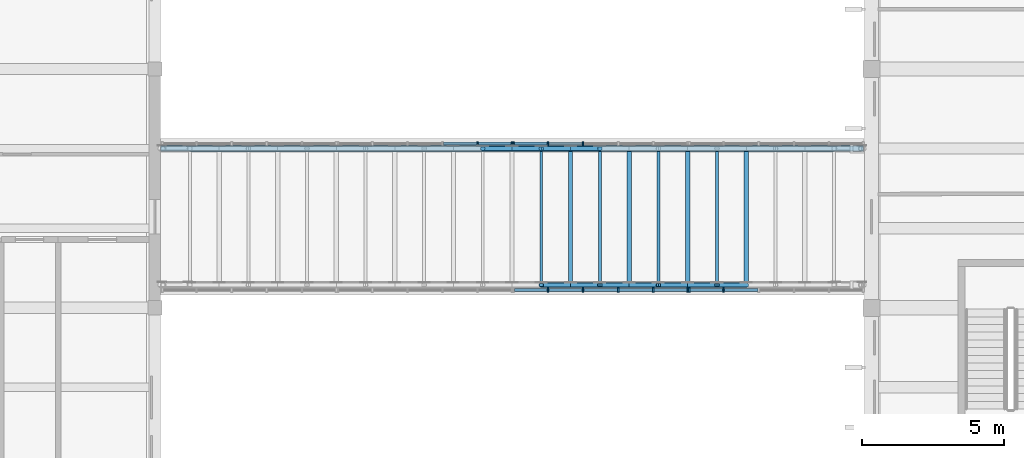
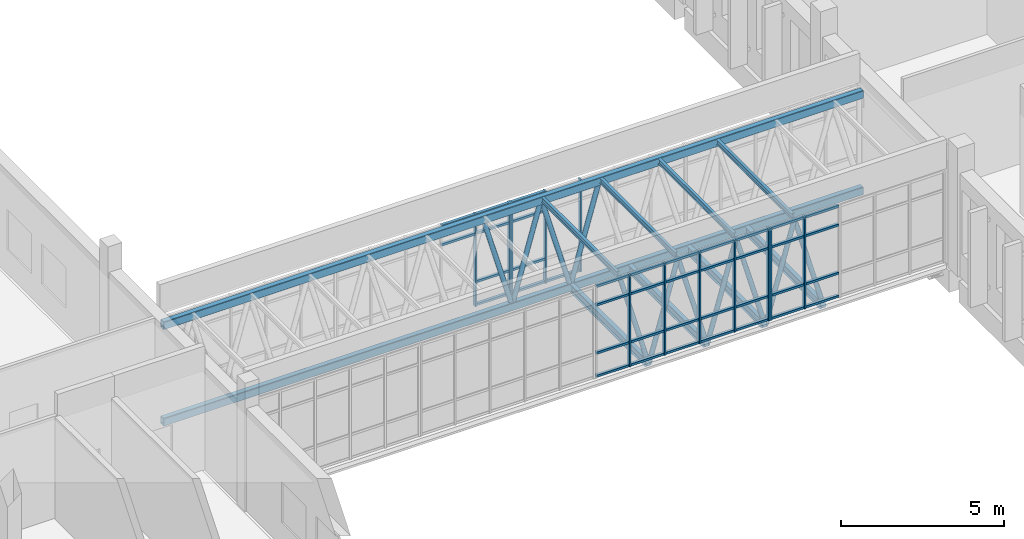
# One storey, part 12 of 119: 64 members, 8 beams, 4 elements without a shape of their own.
"""IFC4 building model written with IfcOpenShell, lengths in metres."""

from ifc_helpers import new_model, si_unit, direction, frame, origin, origin_2d, place, context, subcontext, project, spatial, rectangle, hollow_rectangle, hollow_circle, i_section, extrude, material, layer, layer_set, material_profile, profile_set, type_object, element, aggregate, save


model = new_model("IFC4")

# Units and contexts
model_context = context("Model", 3, precision=1e-05, world=origin(), true_north=direction((0.0, 1.0)))
body_context = subcontext(model_context, "Body", "Model", "MODEL_VIEW")
ifc_project = project(units=[si_unit("LENGTHUNIT", "METRE"), si_unit("AREAUNIT", "SQUARE_METRE"), si_unit("VOLUMEUNIT", "CUBIC_METRE"), si_unit("PLANEANGLEUNIT", "RADIAN"), si_unit("MASSUNIT", "GRAM", prefix="KILO")], contexts=[model_context])

# Site, building, storey
site_placement = place(None, origin())
site = spatial("IfcSite", under=ifc_project, at=site_placement, CompositionType="ELEMENT")
building_placement = place(site_placement, origin())
building = spatial("IfcBuilding", under=site, at=building_placement, Name="Larchfold Concert Hall", CompositionType="ELEMENT")
storey_placement = place(building_placement, frame((0.0, 0.0, 4.800048828125)))
storey = spatial("IfcBuildingStorey", under=building, at=storey_placement, Name="L01", CompositionType="ELEMENT", Elevation=4.800048828125)

# Curtain wall, members
ifc_material_1 = material(Name="Anodised graphite aluminium curtain wall", Category="aluminium")
ifc_layer = layer(ifc_material_1, 0.14990234375)
ifc_layer_set = layer_set([ifc_layer], Name="Anodised graphite aluminium curtain wall")
curtain_wall_type = type_object("IfcCurtainWallType", Name="Curtain wall WG", PredefinedType="NOTDEFINED", material=ifc_layer_set)
curtain_wall_1_placement = place(storey_placement, origin())
curtain_wall_1 = element("IfcCurtainWall", 1, at=curtain_wall_1_placement, inside=storey, type_object=curtain_wall_type, Name="Curtain wall CW0305", PredefinedType="NOTDEFINED")
ifc_material_2 = material(Name="Anodised graphite aluminium mullion", Category="aluminium")
ifc_material_profile_1 = material_profile(ifc_material_2, rectangle(XDim=0.14990234375, YDim=0.06005859375, at=origin_2d()))
ifc_profile_set_1 = profile_set([ifc_material_profile_1], Name="Anodised graphite aluminium mullion")
member_type_1 = type_object("IfcMemberType", Name="Aluminium mullion 60x150", PredefinedType="MULLION", material=ifc_profile_set_1)
member_1_placement = place(storey_placement, frame((73.22314453125, 9.626708984375, 0.0), z_axis=(0.0, 0.0, 1.0), x_axis=(0.0, 1.0, 0.0)))
member_1 = element("IfcMember", 2, at=member_1_placement, type_object=member_type_1, Name="CW0305 mullion 2", PredefinedType="MULLION", context=body_context, shape_type="SweptSolid", body=[
    extrude(rectangle(XDim=0.14990234375, YDim=0.06005859375, at=origin_2d()), origin(), (0.0, 0.0, 1.0), 3.43994140625),
])
member_2_placement = place(storey_placement, frame((74.458984375, 9.626708984375, 0.0), z_axis=(0.0, 0.0, 1.0), x_axis=(0.0, 1.0, 0.0)))
member_2 = element("IfcMember", 3, at=member_2_placement, type_object=member_type_1, Name="CW0305 mullion 3", PredefinedType="MULLION", context=body_context, shape_type="SweptSolid", body=[
    extrude(rectangle(XDim=0.14990234375, YDim=0.06005859375, at=origin_2d()), origin(), (0.0, 0.0, 1.0), 3.43994140625),
])
member_3_placement = place(storey_placement, frame((75.694580078125, 9.626708984375, 0.0), z_axis=(0.0, 0.0, 1.0), x_axis=(0.0, 1.0, 0.0)))
member_3 = element("IfcMember", 4, at=member_3_placement, type_object=member_type_1, Name="CW0305 mullion 4", PredefinedType="MULLION", context=body_context, shape_type="SweptSolid", body=[
    extrude(rectangle(XDim=0.14990234375, YDim=0.06005859375, at=origin_2d()), origin(), (0.0, 0.0, 1.0), 3.43994140625),
])
member_4_placement = place(storey_placement, frame((76.930419921875, 9.626708984375, 0.0), z_axis=(0.0, 0.0, 1.0), x_axis=(0.0, 1.0, 0.0)))
member_4 = element("IfcMember", 5, at=member_4_placement, type_object=member_type_1, Name="CW0305 mullion 5", PredefinedType="MULLION", context=body_context, shape_type="SweptSolid", body=[
    extrude(rectangle(XDim=0.14990234375, YDim=0.06005859375, at=origin_2d()), origin(), (0.0, 0.0, 1.0), 3.43994140625),
])
member_5_placement = place(storey_placement, frame((78.13623046875, 9.626708984375, 0.0), z_axis=(0.0, 0.0, 1.0), x_axis=(0.0, 1.0, 0.0)))
member_5 = element("IfcMember", 6, at=member_5_placement, type_object=member_type_1, Name="CW0305 mullion 6", PredefinedType="MULLION", context=body_context, shape_type="SweptSolid", body=[
    extrude(rectangle(XDim=0.14990234375, YDim=0.06005859375, at=origin_2d()), origin(), (0.0, 0.0, 1.0), 3.43994140625),
])

curtain_wall_2_placement = place(storey_placement, origin())
curtain_wall_2 = element("IfcCurtainWall", 7, at=curtain_wall_2_placement, inside=storey, type_object=curtain_wall_type, Name="Curtain wall CW0306", PredefinedType="NOTDEFINED")
member_6_placement = place(storey_placement, frame((78.1962890625, 9.626708984375, 0.0), z_axis=(0.0, 0.0, 1.0), x_axis=(0.0, 1.0, 0.0)))
member_6 = element("IfcMember", 8, at=member_6_placement, type_object=member_type_1, Name="CW0306 mullion 1", PredefinedType="MULLION", context=body_context, shape_type="SweptSolid", body=[
    extrude(rectangle(XDim=0.14990234375, YDim=0.06005859375, at=origin_2d()), origin(), (0.0, 0.0, 1.0), 3.43994140625),
])
member_7_placement = place(storey_placement, frame((79.402099609375, 9.626708984375, 0.0), z_axis=(0.0, 0.0, 1.0), x_axis=(0.0, 1.0, 0.0)))
member_7 = element("IfcMember", 9, at=member_7_placement, type_object=member_type_1, Name="CW0306 mullion 2", PredefinedType="MULLION", context=body_context, shape_type="SweptSolid", body=[
    extrude(rectangle(XDim=0.14990234375, YDim=0.06005859375, at=origin_2d()), origin(), (0.0, 0.0, 1.0), 3.43994140625),
])

curtain_wall_3_placement = place(storey_placement, origin())
curtain_wall_3 = element("IfcCurtainWall", 10, at=curtain_wall_3_placement, inside=storey, type_object=curtain_wall_type, Name="Curtain wall CW0308", PredefinedType="NOTDEFINED")
member_8_placement = place(storey_placement, frame((70.75146484375, 14.7734375, 0.0), z_axis=(0.0, 0.0, 1.0), x_axis=(0.0, 1.0, 0.0)))
member_8 = element("IfcMember", 11, at=member_8_placement, type_object=member_type_1, Name="CW0308 mullion 5", PredefinedType="MULLION", context=body_context, shape_type="SweptSolid", body=[
    extrude(rectangle(XDim=0.14990234375, YDim=0.06005859375, at=origin_2d()), origin(), (0.0, 0.0, 1.0), 3.43994140625),
])
member_9_placement = place(storey_placement, frame((71.957275390625, 14.7734375, 0.0), z_axis=(0.0, 0.0, 1.0), x_axis=(0.0, 1.0, 0.0)))
member_9 = element("IfcMember", 12, at=member_9_placement, type_object=member_type_1, Name="CW0308 mullion 6", PredefinedType="MULLION", context=body_context, shape_type="SweptSolid", body=[
    extrude(rectangle(XDim=0.14990234375, YDim=0.06005859375, at=origin_2d()), origin(), (0.0, 0.0, 1.0), 3.43994140625),
])

curtain_wall_4_placement = place(storey_placement, origin())
curtain_wall_4 = element("IfcCurtainWall", 13, at=curtain_wall_4_placement, inside=storey, type_object=curtain_wall_type, Name="Curtain wall CW0309", PredefinedType="NOTDEFINED")
member_10_placement = place(storey_placement, frame((72.017333984375, 14.7734375, 0.0), z_axis=(0.0, 0.0, 1.0), x_axis=(0.0, 1.0, 0.0)))
member_10 = element("IfcMember", 14, at=member_10_placement, type_object=member_type_1, Name="CW0309 mullion 1", PredefinedType="MULLION", context=body_context, shape_type="SweptSolid", body=[
    extrude(rectangle(XDim=0.14990234375, YDim=0.06005859375, at=origin_2d()), origin(), (0.0, 0.0, 1.0), 3.43994140625),
])
member_11_placement = place(storey_placement, frame((73.22314453125, 14.7734375, 0.0), z_axis=(0.0, 0.0, 1.0), x_axis=(0.0, 1.0, 0.0)))
member_11 = element("IfcMember", 15, at=member_11_placement, type_object=member_type_1, Name="CW0309 mullion 2", PredefinedType="MULLION", context=body_context, shape_type="SweptSolid", body=[
    extrude(rectangle(XDim=0.14990234375, YDim=0.06005859375, at=origin_2d()), origin(), (0.0, 0.0, 1.0), 3.43994140625),
])
member_12_placement = place(storey_placement, frame((74.458984375, 14.7734375, 0.0), z_axis=(0.0, 0.0, 1.0), x_axis=(0.0, 1.0, 0.0)))
member_12 = element("IfcMember", 16, at=member_12_placement, type_object=member_type_1, Name="CW0309 mullion 3", PredefinedType="MULLION", context=body_context, shape_type="SweptSolid", body=[
    extrude(rectangle(XDim=0.14990234375, YDim=0.06005859375, at=origin_2d()), origin(), (0.0, 0.0, 1.0), 3.43994140625),
])

# Member
ifc_material_3 = material(Name="Anodised graphite aluminium transom", Category="aluminium")
ifc_material_profile_2 = material_profile(ifc_material_3, rectangle(XDim=0.10009765625, YDim=0.080078125, at=origin_2d()))
ifc_profile_set_2 = profile_set([ifc_material_profile_2], Name="Anodised graphite aluminium transom")
member_type_2 = type_object("IfcMemberType", Name="Aluminium transom 80x100", PredefinedType="USERDEFINED", material=ifc_profile_set_2)
member_13_placement = place(storey_placement, frame((72.04736328125, 9.626708984375, 0.0400390625), z_axis=(1.0, 0.0, 0.0), x_axis=(0.0, 1.0, 0.0)))
member_13 = element("IfcMember", 17, at=member_13_placement, type_object=member_type_2, Name="CW0305 transom 1.1", ObjectType="TRANSOM", PredefinedType="USERDEFINED", context=body_context, shape_type="SweptSolid", body=[
    extrude(rectangle(XDim=0.10009765625, YDim=0.080078125, at=origin_2d()), origin(), (0.0, 0.0, 1.0), 1.145751953125),
])

member_14_placement = place(storey_placement, frame((72.04736328125, 9.626708984375, 0.89990234375), z_axis=(1.0, 0.0, 0.0), x_axis=(0.0, 1.0, 0.0)))
member_14 = element("IfcMember", 18, at=member_14_placement, type_object=member_type_2, Name="CW0305 transom 1.2", ObjectType="TRANSOM", PredefinedType="USERDEFINED", context=body_context, shape_type="SweptSolid", body=[
    extrude(rectangle(XDim=0.10009765625, YDim=0.080078125, at=origin_2d()), origin(), (0.0, 0.0, 1.0), 1.145751953125),
])

member_15_placement = place(storey_placement, frame((72.04736328125, 9.626708984375, 2.699951171875), z_axis=(1.0, 0.0, 0.0), x_axis=(0.0, 1.0, 0.0)))
member_15 = element("IfcMember", 19, at=member_15_placement, type_object=member_type_2, Name="CW0305 transom 1.3", ObjectType="TRANSOM", PredefinedType="USERDEFINED", context=body_context, shape_type="SweptSolid", body=[
    extrude(rectangle(XDim=0.10009765625, YDim=0.080078125, at=origin_2d()), origin(), (0.0, 0.0, 1.0), 1.145751953125),
])

member_16_placement = place(storey_placement, frame((72.04736328125, 9.626708984375, 3.39990234375), z_axis=(1.0, 0.0, 0.0), x_axis=(0.0, 1.0, 0.0)))
member_16 = element("IfcMember", 20, at=member_16_placement, type_object=member_type_2, Name="CW0305 transom 1.4", ObjectType="TRANSOM", PredefinedType="USERDEFINED", context=body_context, shape_type="SweptSolid", body=[
    extrude(rectangle(XDim=0.10009765625, YDim=0.080078125, at=origin_2d()), origin(), (0.0, 0.0, 1.0), 1.145751953125),
])

member_17_placement = place(storey_placement, frame((73.253173828125, 9.626708984375, 0.0400390625), z_axis=(1.0, 0.0, 0.0), x_axis=(0.0, 1.0, 0.0)))
member_17 = element("IfcMember", 21, at=member_17_placement, type_object=member_type_2, Name="CW0305 transom 2.1", ObjectType="TRANSOM", PredefinedType="USERDEFINED", context=body_context, shape_type="SweptSolid", body=[
    extrude(rectangle(XDim=0.10009765625, YDim=0.080078125, at=origin_2d()), origin(), (0.0, 0.0, 1.0), 1.17578125),
])

member_18_placement = place(storey_placement, frame((73.253173828125, 9.626708984375, 0.89990234375), z_axis=(1.0, 0.0, 0.0), x_axis=(0.0, 1.0, 0.0)))
member_18 = element("IfcMember", 22, at=member_18_placement, type_object=member_type_2, Name="CW0305 transom 2.2", ObjectType="TRANSOM", PredefinedType="USERDEFINED", context=body_context, shape_type="SweptSolid", body=[
    extrude(rectangle(XDim=0.10009765625, YDim=0.080078125, at=origin_2d()), origin(), (0.0, 0.0, 1.0), 1.17578125),
])

member_19_placement = place(storey_placement, frame((73.253173828125, 9.626708984375, 2.699951171875), z_axis=(1.0, 0.0, 0.0), x_axis=(0.0, 1.0, 0.0)))
member_19 = element("IfcMember", 23, at=member_19_placement, type_object=member_type_2, Name="CW0305 transom 2.3", ObjectType="TRANSOM", PredefinedType="USERDEFINED", context=body_context, shape_type="SweptSolid", body=[
    extrude(rectangle(XDim=0.10009765625, YDim=0.080078125, at=origin_2d()), origin(), (0.0, 0.0, 1.0), 1.17578125),
])

member_20_placement = place(storey_placement, frame((73.253173828125, 9.626708984375, 3.39990234375), z_axis=(1.0, 0.0, 0.0), x_axis=(0.0, 1.0, 0.0)))
member_20 = element("IfcMember", 24, at=member_20_placement, type_object=member_type_2, Name="CW0305 transom 2.4", ObjectType="TRANSOM", PredefinedType="USERDEFINED", context=body_context, shape_type="SweptSolid", body=[
    extrude(rectangle(XDim=0.10009765625, YDim=0.080078125, at=origin_2d()), origin(), (0.0, 0.0, 1.0), 1.17578125),
])

member_21_placement = place(storey_placement, frame((74.48876953125, 9.626708984375, 0.0400390625), z_axis=(1.0, 0.0, 0.0), x_axis=(0.0, 1.0, 0.0)))
member_21 = element("IfcMember", 25, at=member_21_placement, type_object=member_type_2, Name="CW0305 transom 3.1", ObjectType="TRANSOM", PredefinedType="USERDEFINED", context=body_context, shape_type="SweptSolid", body=[
    extrude(rectangle(XDim=0.10009765625, YDim=0.080078125, at=origin_2d()), origin(), (0.0, 0.0, 1.0), 1.176025390625),
])

member_22_placement = place(storey_placement, frame((74.48876953125, 9.626708984375, 0.89990234375), z_axis=(1.0, 0.0, 0.0), x_axis=(0.0, 1.0, 0.0)))
member_22 = element("IfcMember", 26, at=member_22_placement, type_object=member_type_2, Name="CW0305 transom 3.2", ObjectType="TRANSOM", PredefinedType="USERDEFINED", context=body_context, shape_type="SweptSolid", body=[
    extrude(rectangle(XDim=0.10009765625, YDim=0.080078125, at=origin_2d()), origin(), (0.0, 0.0, 1.0), 1.176025390625),
])

member_23_placement = place(storey_placement, frame((74.48876953125, 9.626708984375, 2.699951171875), z_axis=(1.0, 0.0, 0.0), x_axis=(0.0, 1.0, 0.0)))
member_23 = element("IfcMember", 27, at=member_23_placement, type_object=member_type_2, Name="CW0305 transom 3.3", ObjectType="TRANSOM", PredefinedType="USERDEFINED", context=body_context, shape_type="SweptSolid", body=[
    extrude(rectangle(XDim=0.10009765625, YDim=0.080078125, at=origin_2d()), origin(), (0.0, 0.0, 1.0), 1.176025390625),
])

member_24_placement = place(storey_placement, frame((74.48876953125, 9.626708984375, 3.39990234375), z_axis=(1.0, 0.0, 0.0), x_axis=(0.0, 1.0, 0.0)))
member_24 = element("IfcMember", 28, at=member_24_placement, type_object=member_type_2, Name="CW0305 transom 3.4", ObjectType="TRANSOM", PredefinedType="USERDEFINED", context=body_context, shape_type="SweptSolid", body=[
    extrude(rectangle(XDim=0.10009765625, YDim=0.080078125, at=origin_2d()), origin(), (0.0, 0.0, 1.0), 1.176025390625),
])

member_25_placement = place(storey_placement, frame((75.724609375, 9.626708984375, 0.0400390625), z_axis=(1.0, 0.0, 0.0), x_axis=(0.0, 1.0, 0.0)))
member_25 = element("IfcMember", 29, at=member_25_placement, type_object=member_type_2, Name="CW0305 transom 4.1", ObjectType="TRANSOM", PredefinedType="USERDEFINED", context=body_context, shape_type="SweptSolid", body=[
    extrude(rectangle(XDim=0.10009765625, YDim=0.080078125, at=origin_2d()), origin(), (0.0, 0.0, 1.0), 1.17578125),
])

member_26_placement = place(storey_placement, frame((75.724609375, 9.626708984375, 0.89990234375), z_axis=(1.0, 0.0, 0.0), x_axis=(0.0, 1.0, 0.0)))
member_26 = element("IfcMember", 30, at=member_26_placement, type_object=member_type_2, Name="CW0305 transom 4.2", ObjectType="TRANSOM", PredefinedType="USERDEFINED", context=body_context, shape_type="SweptSolid", body=[
    extrude(rectangle(XDim=0.10009765625, YDim=0.080078125, at=origin_2d()), origin(), (0.0, 0.0, 1.0), 1.17578125),
])

member_27_placement = place(storey_placement, frame((75.724609375, 9.626708984375, 2.699951171875), z_axis=(1.0, 0.0, 0.0), x_axis=(0.0, 1.0, 0.0)))
member_27 = element("IfcMember", 31, at=member_27_placement, type_object=member_type_2, Name="CW0305 transom 4.3", ObjectType="TRANSOM", PredefinedType="USERDEFINED", context=body_context, shape_type="SweptSolid", body=[
    extrude(rectangle(XDim=0.10009765625, YDim=0.080078125, at=origin_2d()), origin(), (0.0, 0.0, 1.0), 1.17578125),
])

member_28_placement = place(storey_placement, frame((75.724609375, 9.626708984375, 3.39990234375), z_axis=(1.0, 0.0, 0.0), x_axis=(0.0, 1.0, 0.0)))
member_28 = element("IfcMember", 32, at=member_28_placement, type_object=member_type_2, Name="CW0305 transom 4.4", ObjectType="TRANSOM", PredefinedType="USERDEFINED", context=body_context, shape_type="SweptSolid", body=[
    extrude(rectangle(XDim=0.10009765625, YDim=0.080078125, at=origin_2d()), origin(), (0.0, 0.0, 1.0), 1.17578125),
])

member_29_placement = place(storey_placement, frame((76.96044921875, 9.626708984375, 0.0400390625), z_axis=(1.0, 0.0, 0.0), x_axis=(0.0, 1.0, 0.0)))
member_29 = element("IfcMember", 33, at=member_29_placement, type_object=member_type_2, Name="CW0305 transom 5.1", ObjectType="TRANSOM", PredefinedType="USERDEFINED", context=body_context, shape_type="SweptSolid", body=[
    extrude(rectangle(XDim=0.10009765625, YDim=0.080078125, at=origin_2d()), origin(), (0.0, 0.0, 1.0), 1.145751953125),
])

member_30_placement = place(storey_placement, frame((76.96044921875, 9.626708984375, 0.89990234375), z_axis=(1.0, 0.0, 0.0), x_axis=(0.0, 1.0, 0.0)))
member_30 = element("IfcMember", 34, at=member_30_placement, type_object=member_type_2, Name="CW0305 transom 5.2", ObjectType="TRANSOM", PredefinedType="USERDEFINED", context=body_context, shape_type="SweptSolid", body=[
    extrude(rectangle(XDim=0.10009765625, YDim=0.080078125, at=origin_2d()), origin(), (0.0, 0.0, 1.0), 1.145751953125),
])

member_31_placement = place(storey_placement, frame((76.96044921875, 9.626708984375, 2.699951171875), z_axis=(1.0, 0.0, 0.0), x_axis=(0.0, 1.0, 0.0)))
member_31 = element("IfcMember", 35, at=member_31_placement, type_object=member_type_2, Name="CW0305 transom 5.3", ObjectType="TRANSOM", PredefinedType="USERDEFINED", context=body_context, shape_type="SweptSolid", body=[
    extrude(rectangle(XDim=0.10009765625, YDim=0.080078125, at=origin_2d()), origin(), (0.0, 0.0, 1.0), 1.145751953125),
])

member_32_placement = place(storey_placement, frame((76.96044921875, 9.626708984375, 3.39990234375), z_axis=(1.0, 0.0, 0.0), x_axis=(0.0, 1.0, 0.0)))
member_32 = element("IfcMember", 36, at=member_32_placement, type_object=member_type_2, Name="CW0305 transom 5.4", ObjectType="TRANSOM", PredefinedType="USERDEFINED", context=body_context, shape_type="SweptSolid", body=[
    extrude(rectangle(XDim=0.10009765625, YDim=0.080078125, at=origin_2d()), origin(), (0.0, 0.0, 1.0), 1.145751953125),
])

aggregate(curtain_wall_1, [member_1, member_2, member_3, member_4, member_5, member_13, member_14, member_15, member_16, member_17, member_18, member_19, member_20, member_21, member_22, member_23, member_24, member_25, member_26, member_27, member_28, member_29, member_30, member_31, member_32])

member_33_placement = place(storey_placement, frame((78.226318359375, 9.626708984375, 0.0400390625), z_axis=(1.0, 0.0, 0.0), x_axis=(0.0, 1.0, 0.0)))
member_33 = element("IfcMember", 37, at=member_33_placement, type_object=member_type_2, Name="CW0306 transom 1.1", ObjectType="TRANSOM", PredefinedType="USERDEFINED", context=body_context, shape_type="SweptSolid", body=[
    extrude(rectangle(XDim=0.10009765625, YDim=0.080078125, at=origin_2d()), origin(), (0.0, 0.0, 1.0), 1.145751953125),
])

member_34_placement = place(storey_placement, frame((78.226318359375, 9.626708984375, 0.89990234375), z_axis=(1.0, 0.0, 0.0), x_axis=(0.0, 1.0, 0.0)))
member_34 = element("IfcMember", 38, at=member_34_placement, type_object=member_type_2, Name="CW0306 transom 1.2", ObjectType="TRANSOM", PredefinedType="USERDEFINED", context=body_context, shape_type="SweptSolid", body=[
    extrude(rectangle(XDim=0.10009765625, YDim=0.080078125, at=origin_2d()), origin(), (0.0, 0.0, 1.0), 1.145751953125),
])

member_35_placement = place(storey_placement, frame((78.226318359375, 9.626708984375, 2.699951171875), z_axis=(1.0, 0.0, 0.0), x_axis=(0.0, 1.0, 0.0)))
member_35 = element("IfcMember", 39, at=member_35_placement, type_object=member_type_2, Name="CW0306 transom 1.3", ObjectType="TRANSOM", PredefinedType="USERDEFINED", context=body_context, shape_type="SweptSolid", body=[
    extrude(rectangle(XDim=0.10009765625, YDim=0.080078125, at=origin_2d()), origin(), (0.0, 0.0, 1.0), 1.145751953125),
])

member_36_placement = place(storey_placement, frame((78.226318359375, 9.626708984375, 3.39990234375), z_axis=(1.0, 0.0, 0.0), x_axis=(0.0, 1.0, 0.0)))
member_36 = element("IfcMember", 40, at=member_36_placement, type_object=member_type_2, Name="CW0306 transom 1.4", ObjectType="TRANSOM", PredefinedType="USERDEFINED", context=body_context, shape_type="SweptSolid", body=[
    extrude(rectangle(XDim=0.10009765625, YDim=0.080078125, at=origin_2d()), origin(), (0.0, 0.0, 1.0), 1.145751953125),
])

member_37_placement = place(storey_placement, frame((79.431884765625, 9.626708984375, 0.0400390625), z_axis=(1.0, 0.0, 0.0), x_axis=(0.0, 1.0, 0.0)))
member_37 = element("IfcMember", 41, at=member_37_placement, type_object=member_type_2, Name="CW0306 transom 2.1", ObjectType="TRANSOM", PredefinedType="USERDEFINED", context=body_context, shape_type="SweptSolid", body=[
    extrude(rectangle(XDim=0.10009765625, YDim=0.080078125, at=origin_2d()), origin(), (0.0, 0.0, 1.0), 1.17578125),
])

member_38_placement = place(storey_placement, frame((79.431884765625, 9.626708984375, 0.89990234375), z_axis=(1.0, 0.0, 0.0), x_axis=(0.0, 1.0, 0.0)))
member_38 = element("IfcMember", 42, at=member_38_placement, type_object=member_type_2, Name="CW0306 transom 2.2", ObjectType="TRANSOM", PredefinedType="USERDEFINED", context=body_context, shape_type="SweptSolid", body=[
    extrude(rectangle(XDim=0.10009765625, YDim=0.080078125, at=origin_2d()), origin(), (0.0, 0.0, 1.0), 1.17578125),
])

member_39_placement = place(storey_placement, frame((79.431884765625, 9.626708984375, 2.699951171875), z_axis=(1.0, 0.0, 0.0), x_axis=(0.0, 1.0, 0.0)))
member_39 = element("IfcMember", 43, at=member_39_placement, type_object=member_type_2, Name="CW0306 transom 2.3", ObjectType="TRANSOM", PredefinedType="USERDEFINED", context=body_context, shape_type="SweptSolid", body=[
    extrude(rectangle(XDim=0.10009765625, YDim=0.080078125, at=origin_2d()), origin(), (0.0, 0.0, 1.0), 1.17578125),
])

member_40_placement = place(storey_placement, frame((79.431884765625, 9.626708984375, 3.39990234375), z_axis=(1.0, 0.0, 0.0), x_axis=(0.0, 1.0, 0.0)))
member_40 = element("IfcMember", 44, at=member_40_placement, type_object=member_type_2, Name="CW0306 transom 2.4", ObjectType="TRANSOM", PredefinedType="USERDEFINED", context=body_context, shape_type="SweptSolid", body=[
    extrude(rectangle(XDim=0.10009765625, YDim=0.080078125, at=origin_2d()), origin(), (0.0, 0.0, 1.0), 1.17578125),
])

aggregate(curtain_wall_2, [member_6, member_7, member_33, member_34, member_35, member_36, member_37, member_38, member_39, member_40])

member_41_placement = place(storey_placement, frame((69.5458984375, 14.7734375, 2.699951171875), z_axis=(1.0, 0.0, 0.0), x_axis=(0.0, 1.0, 0.0)))
member_41 = element("IfcMember", 45, at=member_41_placement, type_object=member_type_2, Name="CW0308 transom 4.3", ObjectType="TRANSOM", PredefinedType="USERDEFINED", context=body_context, shape_type="SweptSolid", body=[
    extrude(rectangle(XDim=0.10009765625, YDim=0.080078125, at=origin_2d()), origin(), (0.0, 0.0, 1.0), 1.17578125),
])

member_42_placement = place(storey_placement, frame((69.5458984375, 14.7734375, 3.39990234375), z_axis=(1.0, 0.0, 0.0), x_axis=(0.0, 1.0, 0.0)))
member_42 = element("IfcMember", 46, at=member_42_placement, type_object=member_type_2, Name="CW0308 transom 4.4", ObjectType="TRANSOM", PredefinedType="USERDEFINED", context=body_context, shape_type="SweptSolid", body=[
    extrude(rectangle(XDim=0.10009765625, YDim=0.080078125, at=origin_2d()), origin(), (0.0, 0.0, 1.0), 1.17578125),
])

member_43_placement = place(storey_placement, frame((70.781494140625, 14.7734375, 0.0400390625), z_axis=(1.0, 0.0, 0.0), x_axis=(0.0, 1.0, 0.0)))
member_43 = element("IfcMember", 47, at=member_43_placement, type_object=member_type_2, Name="CW0308 transom 5.1", ObjectType="TRANSOM", PredefinedType="USERDEFINED", context=body_context, shape_type="SweptSolid", body=[
    extrude(rectangle(XDim=0.10009765625, YDim=0.080078125, at=origin_2d()), origin(), (0.0, 0.0, 1.0), 1.145751953125),
])

member_44_placement = place(storey_placement, frame((70.781494140625, 14.7734375, 0.89990234375), z_axis=(1.0, 0.0, 0.0), x_axis=(0.0, 1.0, 0.0)))
member_44 = element("IfcMember", 48, at=member_44_placement, type_object=member_type_2, Name="CW0308 transom 5.2", ObjectType="TRANSOM", PredefinedType="USERDEFINED", context=body_context, shape_type="SweptSolid", body=[
    extrude(rectangle(XDim=0.10009765625, YDim=0.080078125, at=origin_2d()), origin(), (0.0, 0.0, 1.0), 1.145751953125),
])

member_45_placement = place(storey_placement, frame((70.781494140625, 14.7734375, 2.699951171875), z_axis=(1.0, 0.0, 0.0), x_axis=(0.0, 1.0, 0.0)))
member_45 = element("IfcMember", 49, at=member_45_placement, type_object=member_type_2, Name="CW0308 transom 5.3", ObjectType="TRANSOM", PredefinedType="USERDEFINED", context=body_context, shape_type="SweptSolid", body=[
    extrude(rectangle(XDim=0.10009765625, YDim=0.080078125, at=origin_2d()), origin(), (0.0, 0.0, 1.0), 1.145751953125),
])

member_46_placement = place(storey_placement, frame((70.781494140625, 14.7734375, 3.39990234375), z_axis=(1.0, 0.0, 0.0), x_axis=(0.0, 1.0, 0.0)))
member_46 = element("IfcMember", 50, at=member_46_placement, type_object=member_type_2, Name="CW0308 transom 5.4", ObjectType="TRANSOM", PredefinedType="USERDEFINED", context=body_context, shape_type="SweptSolid", body=[
    extrude(rectangle(XDim=0.10009765625, YDim=0.080078125, at=origin_2d()), origin(), (0.0, 0.0, 1.0), 1.145751953125),
])

aggregate(curtain_wall_3, [member_8, member_9, member_41, member_42, member_43, member_44, member_45, member_46])

member_47_placement = place(storey_placement, frame((72.04736328125, 14.7734375, 0.0400390625), z_axis=(1.0, 0.0, 0.0), x_axis=(0.0, 1.0, 0.0)))
member_47 = element("IfcMember", 51, at=member_47_placement, type_object=member_type_2, Name="CW0309 transom 1.1", ObjectType="TRANSOM", PredefinedType="USERDEFINED", context=body_context, shape_type="SweptSolid", body=[
    extrude(rectangle(XDim=0.10009765625, YDim=0.080078125, at=origin_2d()), origin(), (0.0, 0.0, 1.0), 1.145751953125),
])

member_48_placement = place(storey_placement, frame((72.04736328125, 14.7734375, 0.89990234375), z_axis=(1.0, 0.0, 0.0), x_axis=(0.0, 1.0, 0.0)))
member_48 = element("IfcMember", 52, at=member_48_placement, type_object=member_type_2, Name="CW0309 transom 1.2", ObjectType="TRANSOM", PredefinedType="USERDEFINED", context=body_context, shape_type="SweptSolid", body=[
    extrude(rectangle(XDim=0.10009765625, YDim=0.080078125, at=origin_2d()), origin(), (0.0, 0.0, 1.0), 1.145751953125),
])

member_49_placement = place(storey_placement, frame((72.04736328125, 14.7734375, 2.699951171875), z_axis=(1.0, 0.0, 0.0), x_axis=(0.0, 1.0, 0.0)))
member_49 = element("IfcMember", 53, at=member_49_placement, type_object=member_type_2, Name="CW0309 transom 1.3", ObjectType="TRANSOM", PredefinedType="USERDEFINED", context=body_context, shape_type="SweptSolid", body=[
    extrude(rectangle(XDim=0.10009765625, YDim=0.080078125, at=origin_2d()), origin(), (0.0, 0.0, 1.0), 1.145751953125),
])

member_50_placement = place(storey_placement, frame((72.04736328125, 14.7734375, 3.39990234375), z_axis=(1.0, 0.0, 0.0), x_axis=(0.0, 1.0, 0.0)))
member_50 = element("IfcMember", 54, at=member_50_placement, type_object=member_type_2, Name="CW0309 transom 1.4", ObjectType="TRANSOM", PredefinedType="USERDEFINED", context=body_context, shape_type="SweptSolid", body=[
    extrude(rectangle(XDim=0.10009765625, YDim=0.080078125, at=origin_2d()), origin(), (0.0, 0.0, 1.0), 1.145751953125),
])

member_51_placement = place(storey_placement, frame((73.253173828125, 14.7734375, 0.0400390625), z_axis=(1.0, 0.0, 0.0), x_axis=(0.0, 1.0, 0.0)))
member_51 = element("IfcMember", 55, at=member_51_placement, type_object=member_type_2, Name="CW0309 transom 2.1", ObjectType="TRANSOM", PredefinedType="USERDEFINED", context=body_context, shape_type="SweptSolid", body=[
    extrude(rectangle(XDim=0.10009765625, YDim=0.080078125, at=origin_2d()), origin(), (0.0, 0.0, 1.0), 1.17578125),
])

aggregate(curtain_wall_4, [member_10, member_11, member_12, member_47, member_48, member_49, member_50, member_51])

# Beams
ifc_material_4 = material(Name="Steel S355", Category="steel")
ifc_material_profile_3 = material_profile(ifc_material_4, i_section(OverallWidth=0.10009765625, OverallDepth=0.199951171875, WebThickness=0.005615234375, FlangeThickness=0.008544921875, FilletRadius=0.011962890625, at=origin_2d()))
ifc_profile_set_3 = profile_set([ifc_material_profile_3], Name="Steel S355")
beam_type_1 = type_object("IfcBeamType", Name="Beam IPE 200", PredefinedType="BEAM", material=ifc_profile_set_3)
for number, where, z_axis, x_axis, name in (
    (56, (72.989990234375, 9.89990234375, 3.33984375), (0.0, 1.0, 0.0), (-1.0, 0.0, 0.0), "Beam LBR07"),
    (57, (75.050048828125, 9.89990234375, 3.33984375), (0.0, 1.0, 0.0), (-1.0, 0.0, 0.0), "Beam LBR08"),
    (58, (77.110107421875, 9.89990234375, 3.33984375), (0.0, 1.0, 0.0), (-1.0, 0.0, 0.0), "Beam LBR09"),
    (59, (79.169921875, 9.89990234375, 3.33984375), (0.0, 1.0, 0.0), (-1.0, 0.0, 0.0), "Beam LBR10"),
):
    element("IfcBeam", number, at=place(storey_placement, frame(where, z_axis=z_axis, x_axis=x_axis)), inside=storey, type_object=beam_type_1, Name=name, PredefinedType="BEAM", context=body_context, shape_type="SweptSolid", body=[
        extrude(i_section(OverallWidth=0.10009765625, OverallDepth=0.199951171875, WebThickness=0.005615234375, FlangeThickness=0.008544921875, FilletRadius=0.011962890625, at=origin_2d()), origin(), (0.0, 0.0, 1.0), 4.60009765625),
    ])
ifc_material_5 = material(Name="Steel S355", Category="steel")
ifc_material_profile_4 = material_profile(ifc_material_5, i_section(OverallWidth=0.14990234375, OverallDepth=0.300048828125, WebThickness=0.007080078125, FlangeThickness=0.0107421875, FilletRadius=0.014892578125, at=origin_2d()))
ifc_profile_set_4 = profile_set([ifc_material_profile_4], Name="Steel S355")
beam_type_2 = type_object("IfcBeamType", Name="Beam IPE 300", PredefinedType="BEAM", material=ifc_profile_set_4)
for number, where, z_axis, x_axis, name in (
    (60, (74.02001953125, 9.89990234375, -0.31005859375), (0.0, 1.0, 0.0), (-1.0, 0.0, 0.0), "Beam LBF07"),
    (61, (76.080078125, 9.89990234375, -0.31005859375), (0.0, 1.0, 0.0), (-1.0, 0.0, 0.0), "Beam LBF08"),
    (62, (78.14013671875, 9.89990234375, -0.31005859375), (0.0, 1.0, 0.0), (-1.0, 0.0, 0.0), "Beam LBF09"),
    (63, (80.199951171875, 9.89990234375, -0.31005859375), (0.0, 1.0, 0.0), (-1.0, 0.0, 0.0), "Beam LBF10"),
):
    element("IfcBeam", number, at=place(storey_placement, frame(where, z_axis=z_axis, x_axis=x_axis)), inside=storey, type_object=beam_type_2, Name=name, PredefinedType="BEAM", context=body_context, shape_type="SweptSolid", body=[
        extrude(i_section(OverallWidth=0.14990234375, OverallDepth=0.300048828125, WebThickness=0.007080078125, FlangeThickness=0.0107421875, FilletRadius=0.014892578125, at=origin_2d()), origin(), (0.0, 0.0, 1.0), 4.60009765625),
    ])

# Members
ifc_material_6 = material(Name="Steel S355J2H", Category="steel")
ifc_material_profile_5 = material_profile(ifc_material_6, hollow_rectangle(XDim=0.199951171875, YDim=0.300048828125, WallThickness=0.012451171875, InnerFilletRadius=0.018798828125, OuterFilletRadius=0.03125, at=origin_2d()))
ifc_profile_set_5 = profile_set([ifc_material_profile_5], Name="Steel S355J2H")
member_type_3 = type_object("IfcMemberType", Name="Link truss chord RHS 300x200x12.5", PredefinedType="CHORD", material=ifc_profile_set_5)
for number, where, z_axis, x_axis, name in (
    (64, (59.599853515625, 14.60009765625, -0.31005859375), (1.0, 0.0, 0.0), (0.0, 1.0, 0.0), "Member LB2B01"),
    (65, (59.599853515625, 14.60009765625, 3.2900390625), (1.0, 0.0, 0.0), (0.0, 1.0, 0.0), "Member LB2T01"),
):
    element("IfcMember", number, at=place(storey_placement, frame(where, z_axis=z_axis, x_axis=x_axis)), inside=storey, type_object=member_type_3, Name=name, PredefinedType="CHORD", context=body_context, shape_type="SweptSolid", body=[
        extrude(hollow_rectangle(XDim=0.199951171875, YDim=0.300048828125, WallThickness=0.012451171875, InnerFilletRadius=0.018798828125, OuterFilletRadius=0.03125, at=origin_2d()), origin(), (0.0, 0.0, 1.0), 24.72021484375),
    ])
ifc_material_7 = material(Name="Steel S355J2H", Category="steel")
ifc_material_profile_6 = material_profile(ifc_material_7, hollow_circle(Radius=0.084228515625, WallThickness=0.008056640625, at=origin_2d()))
ifc_profile_set_6 = profile_set([ifc_material_profile_6], Name="Steel S355J2H")
member_type_4 = type_object("IfcMemberType", Name="Link truss web CHS 168.3x8", PredefinedType="BRACE", material=ifc_profile_set_6)
for number, where, z_axis, x_axis, name in (
    (66, (72.989990234375, 9.800048828125, 3.2900390625), (0.275074167583, 0.0, -0.961423009049), (0.0, 1.0, 0.0), "Member LB1D14"),
    (67, (74.02001953125, 9.800048828125, -0.31005859375), (0.275074167583, 0.0, 0.961423009049), (0.0, 1.0, 0.0), "Member LB1D15"),
    (68, (75.050048828125, 9.800048828125, 3.2900390625), (0.275074167583, 0.0, -0.961423009049), (0.0, 1.0, 0.0), "Member LB1D16"),
    (69, (76.080078125, 9.800048828125, -0.31005859375), (0.275074167583, 0.0, 0.961423009049), (0.0, 1.0, 0.0), "Member LB1D17"),
    (70, (77.110107421875, 9.800048828125, 3.2900390625), (0.275074167583, 0.0, -0.961423009049), (0.0, 1.0, 0.0), "Member LB1D18"),
):
    element("IfcMember", number, at=place(storey_placement, frame(where, z_axis=z_axis, x_axis=x_axis)), inside=storey, type_object=member_type_4, Name=name, PredefinedType="BRACE", context=body_context, shape_type="SweptSolid", body=[
        extrude(hollow_circle(Radius=0.084228515625, WallThickness=0.008056640625, at=origin_2d()), origin(), (0.0, 0.0, 1.0), 3.74462890625),
    ])
member_52_placement = place(storey_placement, frame((78.14013671875, 9.800048828125, -0.31005859375), z_axis=(0.275013900387, 0.0, 0.961440250143), x_axis=(0.0, 1.0, 0.0)))
element("IfcMember", 71, at=member_52_placement, inside=storey, type_object=member_type_4, Name="Member LB1D19", PredefinedType="BRACE", context=body_context, shape_type="SweptSolid", body=[
    extrude(hollow_circle(Radius=0.084228515625, WallThickness=0.008056640625, at=origin_2d()), origin(), (0.0, 0.0, 1.0), 3.744384765625),
])
for number, where, z_axis, x_axis, name in (
    (72, (79.169921875, 9.800048828125, 3.2900390625), (0.275074167583, 0.0, -0.961423009049), (0.0, 1.0, 0.0), "Member LB1D20"),
    (73, (70.929931640625, 14.60009765625, 3.2900390625), (0.275074167583, 0.0, -0.961423009049), (0.0, 1.0, 0.0), "Member LB2D12"),
    (74, (71.9599609375, 14.60009765625, -0.31005859375), (0.275074167583, 0.0, 0.961423009049), (0.0, 1.0, 0.0), "Member LB2D13"),
    (75, (72.989990234375, 14.60009765625, 3.2900390625), (0.275074167583, 0.0, -0.961423009049), (0.0, 1.0, 0.0), "Member LB2D14"),
    (76, (74.02001953125, 14.60009765625, -0.31005859375), (0.275074167583, 0.0, 0.961423009049), (0.0, 1.0, 0.0), "Member LB2D15"),
):
    element("IfcMember", number, at=place(storey_placement, frame(where, z_axis=z_axis, x_axis=x_axis)), inside=storey, type_object=member_type_4, Name=name, PredefinedType="BRACE", context=body_context, shape_type="SweptSolid", body=[
        extrude(hollow_circle(Radius=0.084228515625, WallThickness=0.008056640625, at=origin_2d()), origin(), (0.0, 0.0, 1.0), 3.74462890625),
    ])

save(model, "model.ifc")
